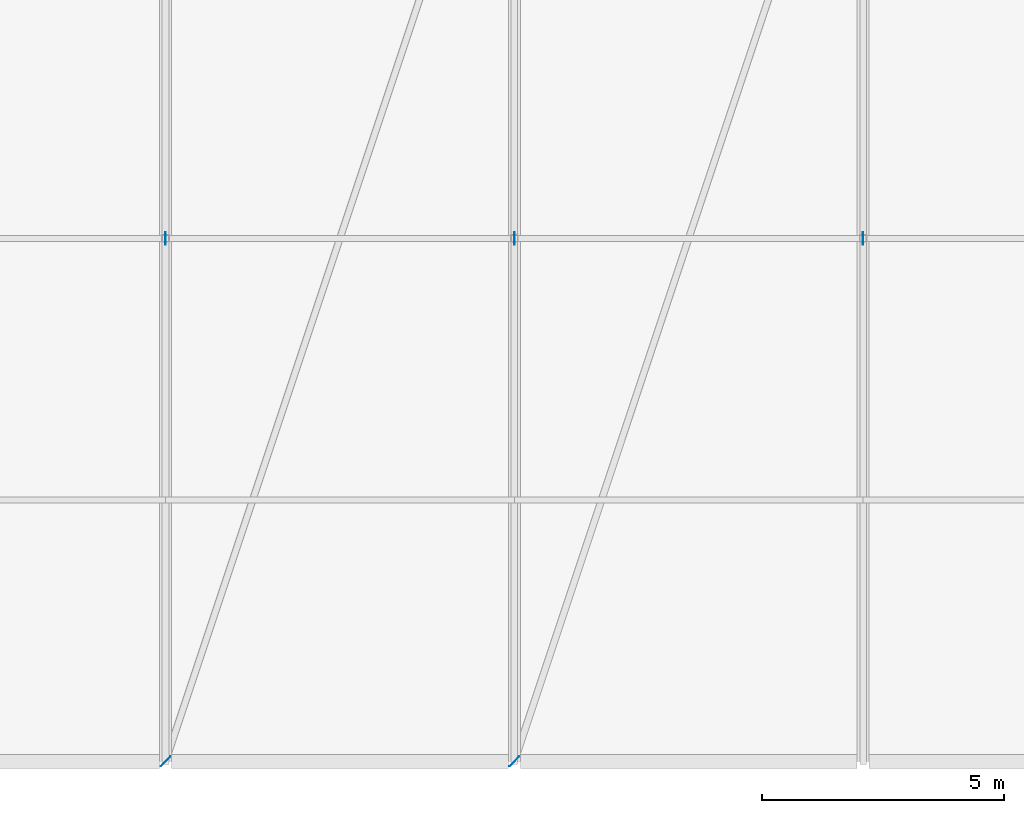
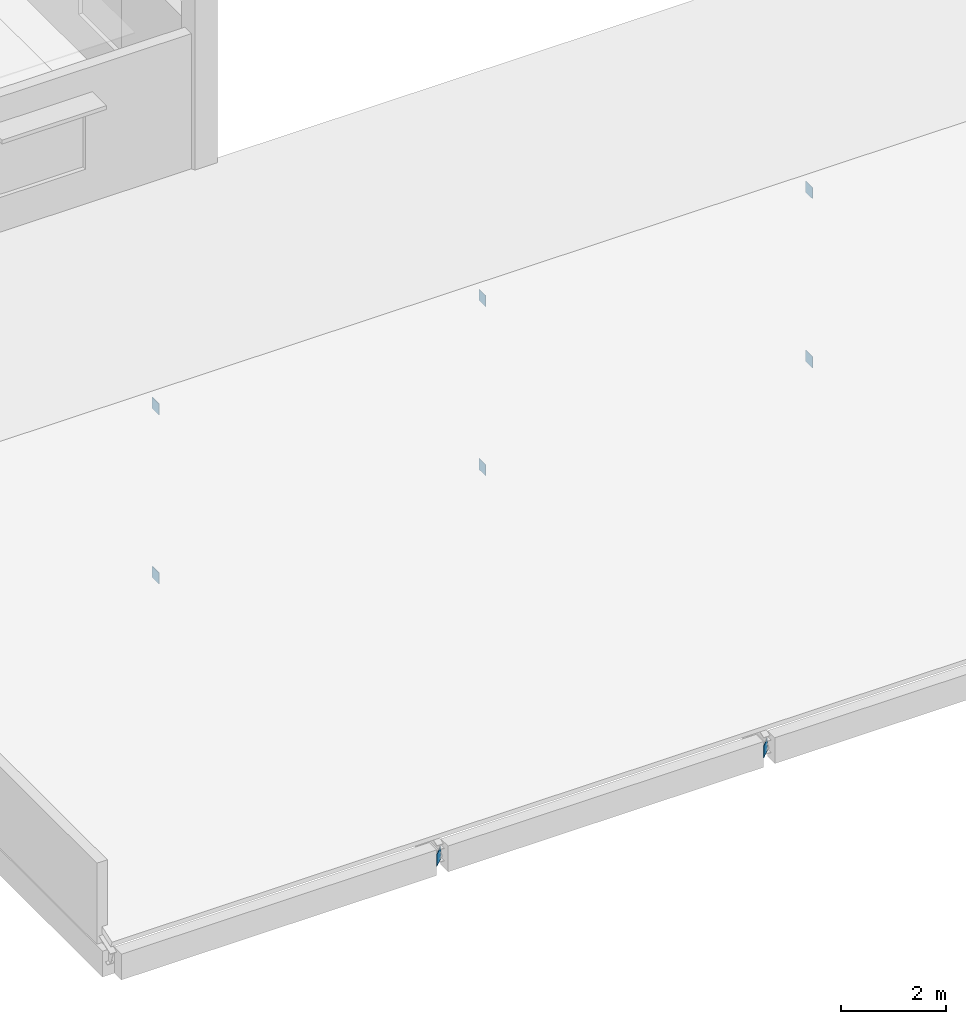
# One storey, part 67 of 108: 8 plates.
"""IFC4 building model written with IfcOpenShell, lengths in metres."""

from ifc_helpers import new_model, si_unit, direction, frame, origin, origin_2d, place, context, subcontext, project, spatial, rectangle, extrude, material, layer, layer_set, type_object, element, save


model = new_model("IFC4")

# Units and contexts
model_context = context("Model", 3, precision=1e-05, world=origin(), true_north=direction((0.0, 1.0)))
body_context = subcontext(model_context, "Body", "Model", "MODEL_VIEW")
ifc_project = project(units=[si_unit("LENGTHUNIT", "METRE"), si_unit("AREAUNIT", "SQUARE_METRE"), si_unit("VOLUMEUNIT", "CUBIC_METRE"), si_unit("PLANEANGLEUNIT", "RADIAN"), si_unit("MASSUNIT", "GRAM", prefix="KILO")], contexts=[model_context])

# Site, building, storey
site_placement = place(None, origin())
site = spatial("IfcSite", under=ifc_project, at=site_placement, CompositionType="ELEMENT")
building_placement = place(site_placement, origin())
building = spatial("IfcBuilding", under=site, at=building_placement, Name="Kangsadwip Square Police Headquarters", CompositionType="ELEMENT")
storey_placement = place(building_placement, frame((0.0, 0.0, 9.449951171875)))
storey = spatial("IfcBuildingStorey", under=building, at=storey_placement, Name="L02", CompositionType="ELEMENT", Elevation=9.449951171875)

# Plates
ifc_material = material(Name="Structural steel IS 2062 E350 (Grade 350, 350 MPa)", Category="steel")
ifc_layer = layer(ifc_material, 0.011962890625)
ifc_layer_set = layer_set([ifc_layer], Name="Structural steel IS 2062 E350 (Grade 350, 350 MPa)")
plate_type = type_object("IfcPlateType", Name="TrussEndCapPlate12", PredefinedType="USERDEFINED", material=ifc_layer_set)
for number, where, z_axis, x_axis, name in (
    (1, (7.199951171875, 10.800048828125, -0.64990234375), (0.0, 0.0, 1.0), (0.0, 1.0, 0.0), "Truss Node Gusset Plate GP-L02-0117"),
    (2, (7.199951171875, 10.800048828125, 3.2900390625), (0.0, 0.0, 1.0), (0.0, 1.0, 0.0), "Truss Node Gusset Plate GP-L02-0118"),
    (3, (14.39990234375, 10.800048828125, -0.64990234375), (0.0, 0.0, 1.0), (0.0, 1.0, 0.0), "Truss Node Gusset Plate GP-L02-0119"),
    (4, (14.39990234375, 10.800048828125, 3.2900390625), (0.0, 0.0, 1.0), (0.0, 1.0, 0.0), "Truss Node Gusset Plate GP-L02-0120"),
    (5, (21.60009765625, 10.800048828125, -0.64990234375), (0.0, 0.0, 1.0), (0.0, 1.0, 0.0), "Truss Node Gusset Plate GP-L02-0121"),
    (6, (21.60009765625, 10.800048828125, 3.2900390625), (0.0, 0.0, 1.0), (0.0, 1.0, 0.0), "Truss Node Gusset Plate GP-L02-0122"),
):
    element("IfcPlate", number, at=place(storey_placement, frame(where, z_axis=z_axis, x_axis=x_axis)), inside=storey, type_object=plate_type, Name=name, ObjectType="GUSSET_PLATE", PredefinedType="USERDEFINED", context=body_context, shape_type="SweptSolid", body=[
        extrude(rectangle(XDim=0.260009765625, YDim=0.011962890625, at=origin_2d()), origin(), (0.0, 0.0, 1.0), 0.260009765625),
    ])
for number, where, z_axis, x_axis, name in (
    (7, (7.199951171875, 0.0, -0.66015625), (0.0, 0.0, 1.0), (0.707106781187, 0.707106781187, 0.0), "Truss Node Gusset Plate GP-L02-0123"),
    (8, (14.39990234375, 0.0, -0.66015625), (0.0, 0.0, 1.0), (0.707106781187, 0.707106781187, 0.0), "Truss Node Gusset Plate GP-L02-0125"),
):
    element("IfcPlate", number, at=place(storey_placement, frame(where, z_axis=z_axis, x_axis=x_axis)), inside=storey, type_object=plate_type, Name=name, ObjectType="GUSSET_PLATE", PredefinedType="USERDEFINED", context=body_context, shape_type="SweptSolid", body=[
        extrude(rectangle(XDim=0.280029296875, YDim=0.011962890625, at=origin_2d()), origin(), (0.0, 0.0, 1.0), 0.280029296875),
    ])

save(model, "model.ifc")
